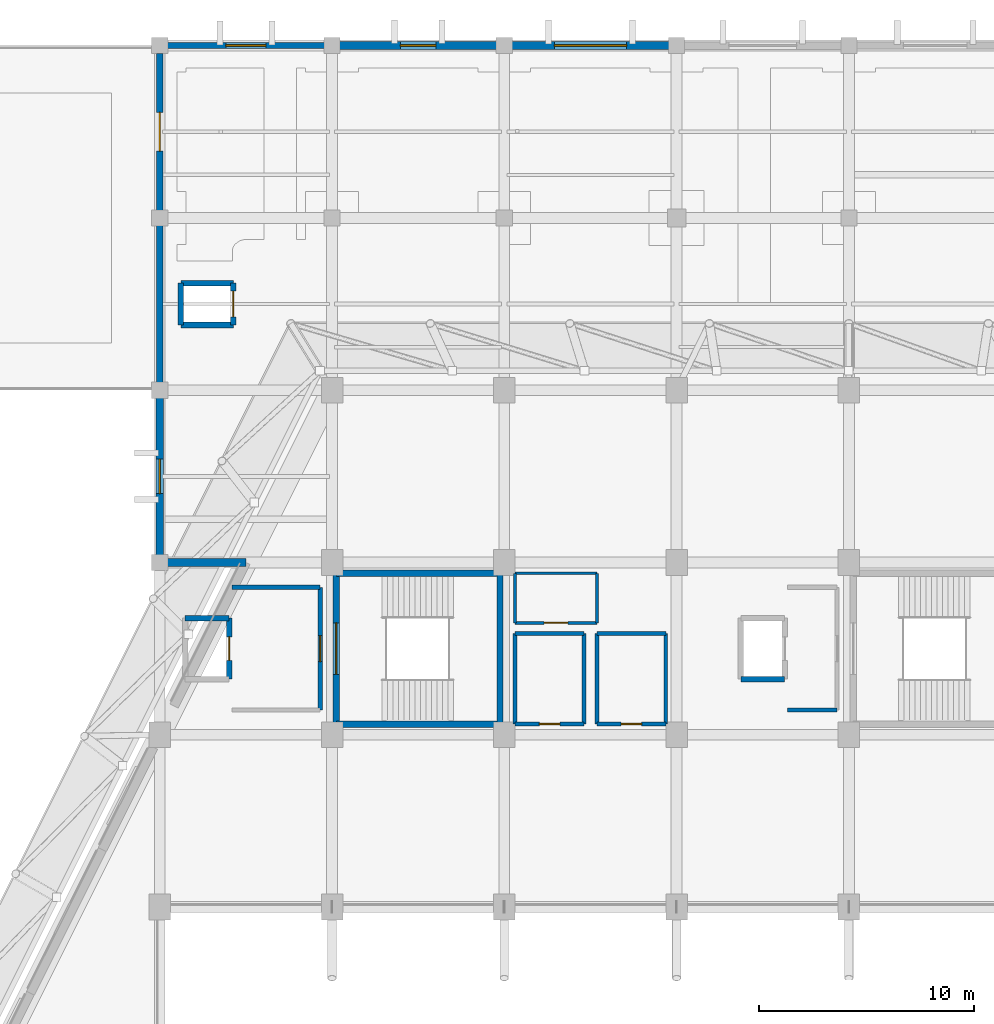
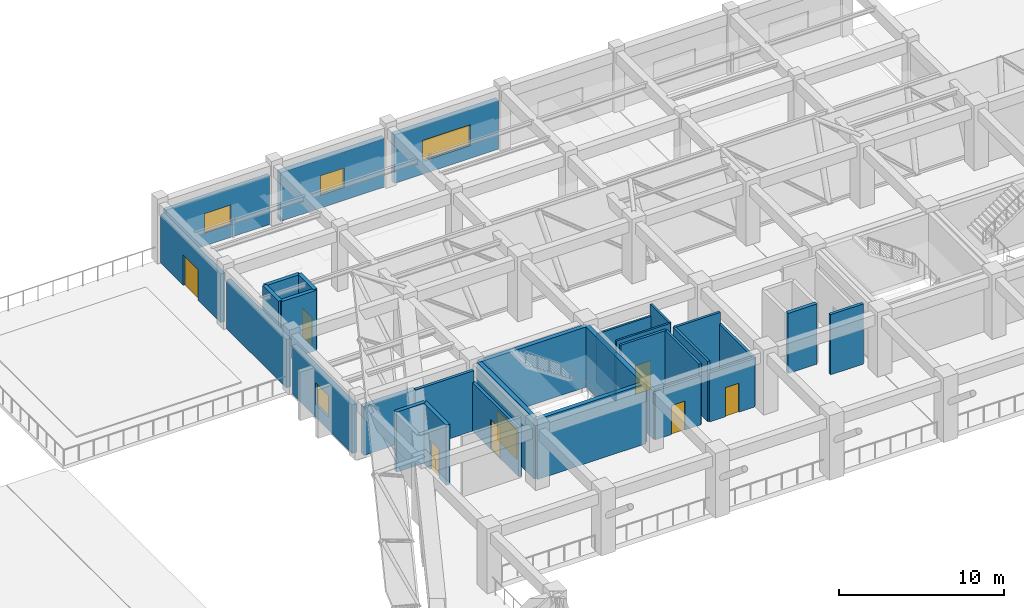
# One storey, part 33 of 46: 33 walls, 8 doors, 4 windows, 12 openings.
"""IFC4 building model written with IfcOpenShell, lengths in metres."""

from ifc_helpers import new_model, si_unit, direction, frame, frame_2d, origin, place, context, subcontext, project, spatial, rectangle, extrude, material, layer, layer_set, type_object, element, fill, save


model = new_model("IFC4")

# Units and contexts
model_context = context("Model", 3, precision=1e-05, world=origin(), true_north=direction((0.0, 1.0)))
body_context = subcontext(model_context, "Body", "Model", "MODEL_VIEW")
ifc_project = project(units=[si_unit("LENGTHUNIT", "METRE"), si_unit("AREAUNIT", "SQUARE_METRE"), si_unit("VOLUMEUNIT", "CUBIC_METRE"), si_unit("PLANEANGLEUNIT", "RADIAN"), si_unit("MASSUNIT", "GRAM", prefix="KILO")], contexts=[model_context])

# Site, building, storey
site_placement = place(None, origin())
site = spatial("IfcSite", under=ifc_project, at=site_placement, CompositionType="ELEMENT")
building_placement = place(site_placement, origin())
building = spatial("IfcBuilding", under=site, at=building_placement, Name="Tazarka Park Arena", CompositionType="ELEMENT")
storey_placement = place(building_placement, frame((0.0, 0.0, 10.199951171875)))
storey = spatial("IfcBuildingStorey", under=building, at=storey_placement, Name="L02", CompositionType="ELEMENT", Elevation=10.199951171875)

# Wall
ifc_material_1 = material(Name="Concrete C40/50", Category="concrete")
ifc_layer_1 = layer(ifc_material_1, 0.300048828125, Name="Concrete C40/50")
ifc_layer_set_1 = layer_set([ifc_layer_1], Name="Concrete C40/50")
wall_type_1 = type_object("IfcWallType", Name="IWAL-CW-S1", PredefinedType="SHEAR", material=ifc_layer_set_1)
wall_1_placement = place(storey_placement, frame((71.800048828125, 96.5, 0.0), z_axis=(0.0, 0.0, 1.0), x_axis=(-1.0, 0.0, 0.0)))
element("IfcWall", 1, at=wall_1_placement, inside=storey, type_object=wall_type_1, Name="SCW-L02-ST14-S", PredefinedType="SHEAR", context=body_context, shape_type="SweptSolid", body=[
    extrude(rectangle(XDim=7.60009765625, YDim=0.300048828125, at=frame_2d((3.800048828125, 0.0))), origin(), (0.0, 0.0, 1.0), 4.4599609375),
])

# Wall, opening, door
wall_2_placement = place(storey_placement, frame((64.199951171875, 96.5, 0.0), z_axis=(0.0, 0.0, 1.0), x_axis=(0.0, 1.0, 0.0)))
wall_2 = element("IfcWall", 2, at=wall_2_placement, inside=storey, type_object=wall_type_1, Name="SCW-L02-ST14-W", PredefinedType="SHEAR", context=body_context, shape_type="SweptSolid", body=[
    extrude(rectangle(XDim=7.0, YDim=0.300048828125, at=frame_2d((3.5, 0.0))), origin(), (0.0, 0.0, 1.0), 4.4599609375),
])
opening_1_placement = place(wall_2_placement, frame((2.300048828125, 0.0, 0.0)))
opening_1 = element("IfcOpeningElement", 3, at=opening_1_placement, cuts=wall_2, Name="Opening ID-05", PredefinedType="OPENING", context=body_context, shape_type="SweptSolid", body=[
    extrude(rectangle(XDim=2.39990234375, YDim=2.199951171875, at=frame_2d((1.199951171875, 1.10009765625))), frame((0.0, 0.16015625, 0.0), z_axis=(0.0, -1.0, 0.0), x_axis=(1.0, 0.0, 0.0)), (0.0, 0.0, 1.0), 0.320068359375),
])
ifc_material_2 = material(Name="Fire-rated powder-coated steel and acoustic timber", Category="steel")
door_type_1 = type_object("IfcDoorType", Name="IDR-ID-05", OperationType="NOTDEFINED", PredefinedType="DOOR", material=ifc_material_2)
door_1_placement = place(opening_1_placement, frame((2.39990234375, 0.0, 0.0), z_axis=(0.0, 0.0, 1.0), x_axis=(-1.0, 0.0, 0.0)))
door_1 = element("IfcDoor", 4, at=door_1_placement, inside=storey, type_object=door_type_1, Name="Exit Stair Door ST14-L02", OperationType="DOUBLE_DOOR_SINGLE_SWING", OverallHeight=2.199951171875, OverallWidth=2.39990234375, PredefinedType="DOOR", context=body_context, shape_type="SweptSolid", body=[
    extrude(rectangle(XDim=2.39990234375, YDim=2.199951171875, at=frame_2d((1.199951171875, 1.10009765625))), frame((0.0, 0.02490234375, 0.0), z_axis=(0.0, -1.0, 0.0), x_axis=(1.0, 0.0, 0.0)), (0.0, 0.0, 1.0), 0.050048828125),
])
fill(opening_1, door_1)

# Walls
wall_3_placement = place(storey_placement, frame((64.199951171875, 103.5, 0.0), z_axis=(0.0, 0.0, 1.0), x_axis=(1.0, 0.0, 0.0)))
element("IfcWall", 5, at=wall_3_placement, inside=storey, type_object=wall_type_1, Name="SCW-L02-ST14-N", PredefinedType="SHEAR", context=body_context, shape_type="SweptSolid", body=[
    extrude(rectangle(XDim=7.60009765625, YDim=0.300048828125, at=frame_2d((3.800048828125, 0.0))), origin(), (0.0, 0.0, 1.0), 4.4599609375),
])
wall_4_placement = place(storey_placement, frame((71.800048828125, 103.5, 0.0), z_axis=(0.0, 0.0, 1.0), x_axis=(0.0, -1.0, 0.0)))
element("IfcWall", 6, at=wall_4_placement, inside=storey, type_object=wall_type_1, Name="SCW-L02-ST14-E", PredefinedType="SHEAR", context=body_context, shape_type="SweptSolid", body=[
    extrude(rectangle(XDim=7.0, YDim=0.300048828125, at=frame_2d((3.5, 0.0))), origin(), (0.0, 0.0, 1.0), 4.4599609375),
])
ifc_material_3 = material(Name="Concrete C40/50", Category="concrete")
ifc_layer_2 = layer(ifc_material_3, 0.260009765625, Name="Concrete C40/50")
ifc_layer_set_2 = layer_set([ifc_layer_2], Name="Concrete C40/50")
wall_type_2 = type_object("IfcWallType", Name="IWAL-CW-S3", PredefinedType="SHEAR", material=ifc_layer_set_2)
wall_5_placement = place(storey_placement, frame((57.179931640625, 101.419921875, 0.0), z_axis=(0.0, 0.0, 1.0), x_axis=(1.0, 0.0, 0.0)))
element("IfcWall", 7, at=wall_5_placement, inside=storey, type_object=wall_type_2, Name="LSW-L02-LF-02-N", PredefinedType="SHEAR", context=body_context, shape_type="SweptSolid", body=[
    extrude(rectangle(XDim=2.0400390625, YDim=0.260009765625, at=frame_2d((1.02001953125, 0.0))), origin(), (0.0, 0.0, 1.0), 4.4599609375),
])

# Wall, opening, door
wall_6_placement = place(storey_placement, frame((59.219970703125, 101.419921875, 0.0), z_axis=(0.0, 0.0, 1.0), x_axis=(0.0, -1.0, 0.0)))
wall_6 = element("IfcWall", 8, at=wall_6_placement, inside=storey, type_object=wall_type_2, Name="LSW-L02-LF-02-E", PredefinedType="SHEAR", context=body_context, shape_type="SweptSolid", body=[
    extrude(rectangle(XDim=2.83984375, YDim=0.260009765625, at=frame_2d((1.419921875, 0.0))), origin(), (0.0, 0.0, 1.0), 4.4599609375),
])
opening_2_placement = place(wall_6_placement, frame((0.8701171875, 0.0, 0.0)))
opening_2 = element("IfcOpeningElement", 9, at=opening_2_placement, cuts=wall_6, Name="Opening LD-01", PredefinedType="OPENING", context=body_context, shape_type="SweptSolid", body=[
    extrude(rectangle(XDim=1.10009765625, YDim=2.14990234375, at=frame_2d((0.550048828125, 1.074951171875))), frame((0.0, 0.14013671875, 0.0), z_axis=(0.0, -1.0, 0.0), x_axis=(1.0, 0.0, 0.0)), (0.0, 0.0, 1.0), 0.280029296875),
])
ifc_material_4 = material(Name="Fire-rated powder-coated steel and acoustic timber", Category="steel")
door_type_2 = type_object("IfcDoorType", Name="IDR-LD-01", OperationType="NOTDEFINED", PredefinedType="DOOR", material=ifc_material_4)
door_2_placement = place(opening_2_placement, origin())
door_2 = element("IfcDoor", 10, at=door_2_placement, inside=storey, type_object=door_type_2, Name="Lift Landing Door LF-02-L02", OperationType="SLIDING_TO_LEFT", OverallHeight=2.14990234375, OverallWidth=1.10009765625, PredefinedType="DOOR", context=body_context, shape_type="SweptSolid", body=[
    extrude(rectangle(XDim=1.10009765625, YDim=2.14990234375, at=frame_2d((0.550048828125, 1.074951171875))), frame((0.0, 0.02490234375, 0.0), z_axis=(0.0, -1.0, 0.0), x_axis=(1.0, 0.0, 0.0)), (0.0, 0.0, 1.0), 0.050048828125),
])
fill(opening_2, door_2)

# Walls
wall_7_placement = place(storey_placement, frame((85.02001953125, 98.580078125, 0.0), z_axis=(0.0, 0.0, 1.0), x_axis=(-1.0, 0.0, 0.0)))
element("IfcWall", 11, at=wall_7_placement, inside=storey, type_object=wall_type_2, Name="LSW-L02-LF-03-S", PredefinedType="SHEAR", context=body_context, shape_type="SweptSolid", body=[
    extrude(rectangle(XDim=2.0400390625, YDim=0.260009765625, at=frame_2d((1.02001953125, 0.0))), origin(), (0.0, 0.0, 1.0), 4.4599609375),
])
wall_8_placement = place(storey_placement, frame((56.97998046875, 115.030029296875, 0.0), z_axis=(0.0, 0.0, 1.0), x_axis=(0.0, 1.0, 0.0)))
element("IfcWall", 12, at=wall_8_placement, inside=storey, type_object=wall_type_2, Name="LSW-L02-LF-07-W", PredefinedType="SHEAR", context=body_context, shape_type="SweptSolid", body=[
    extrude(rectangle(XDim=1.93994140625, YDim=0.260009765625, at=frame_2d((0.969970703125, 0.0))), origin(), (0.0, 0.0, 1.0), 4.4599609375),
])
for number, where, z_axis, x_axis, name in (
    (13, (56.97998046875, 116.969970703125, 0.0), (0.0, 0.0, 1.0), (1.0, 0.0, 0.0), "LSW-L02-LF-07-N"),
    (14, (59.419921875, 115.030029296875, 0.0), (0.0, 0.0, 1.0), (-1.0, 0.0, 0.0), "LSW-L02-LF-07-S"),
):
    element("IfcWall", number, at=place(storey_placement, frame(where, z_axis=z_axis, x_axis=x_axis)), inside=storey, type_object=wall_type_2, Name=name, PredefinedType="SHEAR", context=body_context, shape_type="SweptSolid", body=[
        extrude(rectangle(XDim=2.43994140625, YDim=0.260009765625, at=frame_2d((1.219970703125, 0.0))), origin(), (0.0, 0.0, 1.0), 4.4599609375),
    ])

# Wall, opening, door
wall_9_placement = place(storey_placement, frame((59.419921875, 116.969970703125, 0.0), z_axis=(0.0, 0.0, 1.0), x_axis=(0.0, -1.0, 0.0)))
wall_9 = element("IfcWall", 15, at=wall_9_placement, inside=storey, type_object=wall_type_2, Name="LSW-L02-LF-07-E", PredefinedType="SHEAR", context=body_context, shape_type="SweptSolid", body=[
    extrude(rectangle(XDim=1.93994140625, YDim=0.260009765625, at=frame_2d((0.969970703125, 0.0))), origin(), (0.0, 0.0, 1.0), 4.4599609375),
])
opening_3_placement = place(wall_9_placement, frame((0.3701171875, 0.0, 0.0)))
opening_3 = element("IfcOpeningElement", 16, at=opening_3_placement, cuts=wall_9, Name="Opening LD-02", PredefinedType="OPENING", context=body_context, shape_type="SweptSolid", body=[
    extrude(rectangle(XDim=1.199951171875, YDim=2.14990234375, at=frame_2d((0.60009765625, 1.074951171875))), frame((0.0, 0.14013671875, 0.0), z_axis=(0.0, -1.0, 0.0), x_axis=(1.0, 0.0, 0.0)), (0.0, 0.0, 1.0), 0.280029296875),
])
ifc_material_5 = material(Name="Fire-rated powder-coated steel and acoustic timber", Category="steel")
door_type_3 = type_object("IfcDoorType", Name="IDR-LD-02", OperationType="NOTDEFINED", PredefinedType="DOOR", material=ifc_material_5)
door_3_placement = place(opening_3_placement, origin())
door_3 = element("IfcDoor", 17, at=door_3_placement, inside=storey, type_object=door_type_3, Name="Lift Landing Door LF-07-L02", OperationType="SLIDING_TO_LEFT", OverallHeight=2.14990234375, OverallWidth=1.199951171875, PredefinedType="DOOR", context=body_context, shape_type="SweptSolid", body=[
    extrude(rectangle(XDim=1.199951171875, YDim=2.14990234375, at=frame_2d((0.60009765625, 1.074951171875))), frame((0.0, 0.02490234375, 0.0), z_axis=(0.0, -1.0, 0.0), x_axis=(1.0, 0.0, 0.0)), (0.0, 0.0, 1.0), 0.050048828125),
])
fill(opening_3, door_3)

# Wall
ifc_material_6 = material(Name="Reinforced masonry compartment wall", Category="masonry")
ifc_layer_3 = layer(ifc_material_6, 0.199951171875, Name="Reinforced masonry compartment wall")
ifc_layer_set_3 = layer_set([ifc_layer_3], Name="Reinforced masonry compartment wall")
wall_type_3 = type_object("IfcWallType", Name="IWAL-PT-04", PredefinedType="PARTITIONING", material=ifc_layer_set_3)
wall_10_placement = place(storey_placement, frame((59.35009765625, 102.85009765625, 0.0), z_axis=(0.0, 0.0, 1.0), x_axis=(1.0, 0.0, 0.0)))
element("IfcWall", 18, at=wall_10_placement, inside=storey, type_object=wall_type_3, Name="FFW-L02-LF-02-N", PredefinedType="PARTITIONING", context=body_context, shape_type="SweptSolid", body=[
    extrude(rectangle(XDim=4.099853515625, YDim=0.199951171875, at=frame_2d((2.0498046875, 0.0))), origin(), (0.0, 0.0, 1.0), 4.4599609375),
])

# Wall, opening, door
wall_11_placement = place(storey_placement, frame((63.449951171875, 102.85009765625, 0.0), z_axis=(0.0, 0.0, 1.0), x_axis=(0.0, -1.0, 0.0)))
wall_11 = element("IfcWall", 19, at=wall_11_placement, inside=storey, type_object=wall_type_3, Name="FFW-L02-LF-02-E", PredefinedType="PARTITIONING", context=body_context, shape_type="SweptSolid", body=[
    extrude(rectangle(XDim=5.7001953125, YDim=0.199951171875, at=frame_2d((2.85009765625, 0.0))), origin(), (0.0, 0.0, 1.0), 3.60009765625),
])
opening_4_placement = place(wall_11_placement, frame((2.25, 0.0, 0.0)))
opening_4 = element("IfcOpeningElement", 20, at=opening_4_placement, cuts=wall_11, Name="Opening ID-03", PredefinedType="OPENING", context=body_context, shape_type="SweptSolid", body=[
    extrude(rectangle(XDim=1.199951171875, YDim=2.199951171875, at=frame_2d((0.60009765625, 1.10009765625))), frame((0.0, 0.10986328125, 0.0), z_axis=(0.0, -1.0, 0.0), x_axis=(1.0, 0.0, 0.0)), (0.0, 0.0, 1.0), 0.219970703125),
])
ifc_material_7 = material(Name="Fire-rated powder-coated steel and acoustic timber", Category="steel")
door_type_4 = type_object("IfcDoorType", Name="IDR-ID-03", OperationType="NOTDEFINED", PredefinedType="DOOR", material=ifc_material_7)
door_4_placement = place(opening_4_placement, origin())
door_4 = element("IfcDoor", 21, at=door_4_placement, inside=storey, type_object=door_type_4, Name="Firefighting Lobby Door LF-02-L02", OperationType="SINGLE_SWING_LEFT", OverallHeight=2.199951171875, OverallWidth=1.199951171875, PredefinedType="DOOR", context=body_context, shape_type="SweptSolid", body=[
    extrude(rectangle(XDim=1.199951171875, YDim=2.199951171875, at=frame_2d((0.60009765625, 1.10009765625))), frame((0.0, 0.02490234375, 0.0), z_axis=(0.0, -1.0, 0.0), x_axis=(1.0, 0.0, 0.0)), (0.0, 0.0, 1.0), 0.050048828125),
])
fill(opening_4, door_4)

# Wall
wall_12_placement = place(storey_placement, frame((87.449951171875, 97.14990234375, 0.0), z_axis=(0.0, 0.0, 1.0), x_axis=(-1.0, 0.0, 0.0)))
element("IfcWall", 22, at=wall_12_placement, inside=storey, type_object=wall_type_3, Name="FFW-L02-LF-03-S", PredefinedType="PARTITIONING", context=body_context, shape_type="SweptSolid", body=[
    extrude(rectangle(XDim=2.300048828125, YDim=0.199951171875, at=frame_2d((1.14990234375, 0.0))), origin(), (0.0, 0.0, 1.0), 4.4599609375),
])

# Wall, opening, door
ifc_material_8 = material(Name="Acoustic gypsum stud partition")
ifc_layer_4 = layer(ifc_material_8, 0.135009765625, Name="Acoustic gypsum stud partition")
ifc_layer_set_4 = layer_set([ifc_layer_4], Name="Acoustic gypsum stud partition")
wall_type_4 = type_object("IfcWallType", Name="IWAL-PT-10", PredefinedType="PARTITIONING", material=ifc_layer_set_4)
wall_13_placement = place(storey_placement, frame((72.5, 101.199951171875, 0.0), z_axis=(0.0, 0.0, 1.0), x_axis=(1.0, 0.0, 0.0)))
wall_13 = element("IfcWall", 23, at=wall_13_placement, inside=storey, type_object=wall_type_4, Name="WCE-L02-099", PredefinedType="PARTITIONING", context=body_context, shape_type="SweptSolid", body=[
    extrude(rectangle(XDim=3.800048828125, YDim=0.135009765625, at=frame_2d((1.89990234375, 0.0))), origin(), (0.0, 0.0, 1.0), 4.4599609375),
])
opening_5_placement = place(wall_13_placement, frame((1.35009765625, 0.0, 0.0)))
opening_5 = element("IfcOpeningElement", 24, at=opening_5_placement, cuts=wall_13, Name="Opening ID-02", PredefinedType="OPENING", context=body_context, shape_type="SweptSolid", body=[
    extrude(rectangle(XDim=1.10009765625, YDim=2.14990234375, at=frame_2d((0.550048828125, 1.074951171875))), frame((0.0, 0.07763671875, 0.0), z_axis=(0.0, -1.0, 0.0), x_axis=(1.0, 0.0, 0.0)), (0.0, 0.0, 1.0), 0.155029296875),
])
ifc_material_9 = material(Name="Fire-rated powder-coated steel and acoustic timber", Category="steel")
door_type_5 = type_object("IfcDoorType", Name="IDR-ID-02", OperationType="NOTDEFINED", PredefinedType="DOOR", material=ifc_material_9)
door_5_placement = place(opening_5_placement, origin())
door_5 = element("IfcDoor", 25, at=door_5_placement, inside=storey, type_object=door_type_5, Name="Room Door Accessible WC North 2", OperationType="SINGLE_SWING_RIGHT", OverallHeight=2.14990234375, OverallWidth=1.10009765625, PredefinedType="DOOR", context=body_context, shape_type="SweptSolid", body=[
    extrude(rectangle(XDim=1.10009765625, YDim=2.14990234375, at=frame_2d((0.550048828125, 1.074951171875))), frame((0.0, 0.02490234375, 0.0), z_axis=(0.0, -1.0, 0.0), x_axis=(1.0, 0.0, 0.0)), (0.0, 0.0, 1.0), 0.050048828125),
])
fill(opening_5, door_5)

# Walls
wall_14_placement = place(storey_placement, frame((76.300048828125, 101.199951171875, 0.0), z_axis=(0.0, 0.0, 1.0), x_axis=(0.0, 1.0, 0.0)))
element("IfcWall", 26, at=wall_14_placement, inside=storey, type_object=wall_type_4, Name="WCE-L02-100", PredefinedType="PARTITIONING", context=body_context, shape_type="SweptSolid", body=[
    extrude(rectangle(XDim=2.300048828125, YDim=0.135009765625, at=frame_2d((1.14990234375, 0.0))), origin(), (0.0, 0.0, 1.0), 4.4599609375),
])
wall_15_placement = place(storey_placement, frame((76.300048828125, 103.5, 0.0), z_axis=(0.0, 0.0, 1.0), x_axis=(-1.0, 0.0, 0.0)))
element("IfcWall", 27, at=wall_15_placement, inside=storey, type_object=wall_type_4, Name="WCE-L02-101", PredefinedType="PARTITIONING", context=body_context, shape_type="SweptSolid", body=[
    extrude(rectangle(XDim=3.800048828125, YDim=0.135009765625, at=frame_2d((1.89990234375, 0.0))), origin(), (0.0, 0.0, 1.0), 3.60009765625),
])
wall_16_placement = place(storey_placement, frame((72.5, 103.5, 0.0), z_axis=(0.0, 0.0, 1.0), x_axis=(0.0, -1.0, 0.0)))
element("IfcWall", 28, at=wall_16_placement, inside=storey, type_object=wall_type_4, Name="WCE-L02-102", PredefinedType="PARTITIONING", context=body_context, shape_type="SweptSolid", body=[
    extrude(rectangle(XDim=2.300048828125, YDim=0.135009765625, at=frame_2d((1.14990234375, 0.0))), origin(), (0.0, 0.0, 1.0), 3.60009765625),
])

# Wall, opening, door
ifc_material_10 = material(Name="Wet-zone tiled blockwork wall", Category="masonry")
ifc_layer_5 = layer(ifc_material_10, 0.175048828125, Name="Wet-zone tiled blockwork wall")
ifc_layer_set_5 = layer_set([ifc_layer_5], Name="Wet-zone tiled blockwork wall")
wall_type_5 = type_object("IfcWallType", Name="IWAL-PT-18", PredefinedType="PARTITIONING", material=ifc_layer_set_5)
wall_17_placement = place(storey_placement, frame((72.5, 96.5, 0.0), z_axis=(0.0, 0.0, 1.0), x_axis=(1.0, 0.0, 0.0)))
wall_17 = element("IfcWall", 29, at=wall_17_placement, inside=storey, type_object=wall_type_5, Name="WCE-L02-091", PredefinedType="PARTITIONING", context=body_context, shape_type="SweptSolid", body=[
    extrude(rectangle(XDim=3.199951171875, YDim=0.175048828125, at=frame_2d((1.60009765625, 0.0))), origin(), (0.0, 0.0, 1.0), 3.60009765625),
])
opening_6_placement = place(wall_17_placement, frame((1.125, 0.0, 0.0)))
opening_6 = element("IfcOpeningElement", 30, at=opening_6_placement, cuts=wall_17, Name="Opening ID-09", PredefinedType="OPENING", context=body_context, shape_type="SweptSolid", body=[
    extrude(rectangle(XDim=0.949951171875, YDim=2.14990234375, at=frame_2d((0.47509765625, 1.074951171875))), frame((0.0, 0.09765625, 0.0), z_axis=(0.0, -1.0, 0.0), x_axis=(1.0, 0.0, 0.0)), (0.0, 0.0, 1.0), 0.195068359375),
])
ifc_material_11 = material(Name="Fire-rated powder-coated steel and acoustic timber", Category="steel")
door_type_6 = type_object("IfcDoorType", Name="IDR-ID-09", OperationType="NOTDEFINED", PredefinedType="DOOR", material=ifc_material_11)
door_6_placement = place(opening_6_placement, origin())
door_6 = element("IfcDoor", 31, at=door_6_placement, inside=storey, type_object=door_type_6, Name="Room Door Public Male WC North 2", OperationType="SINGLE_SWING_RIGHT", OverallHeight=2.14990234375, OverallWidth=0.949951171875, PredefinedType="DOOR", context=body_context, shape_type="SweptSolid", body=[
    extrude(rectangle(XDim=0.949951171875, YDim=2.14990234375, at=frame_2d((0.47509765625, 1.074951171875))), frame((0.0, 0.02490234375, 0.0), z_axis=(0.0, -1.0, 0.0), x_axis=(1.0, 0.0, 0.0)), (0.0, 0.0, 1.0), 0.050048828125),
])
fill(opening_6, door_6)

# Walls
wall_18_placement = place(storey_placement, frame((75.699951171875, 96.5, 0.0), z_axis=(0.0, 0.0, 1.0), x_axis=(0.0, 1.0, 0.0)))
element("IfcWall", 32, at=wall_18_placement, inside=storey, type_object=wall_type_5, Name="WCE-L02-092", PredefinedType="PARTITIONING", context=body_context, shape_type="SweptSolid", body=[
    extrude(rectangle(XDim=4.199951171875, YDim=0.175048828125, at=frame_2d((2.10009765625, 0.0))), origin(), (0.0, 0.0, 1.0), 4.4599609375),
])
wall_19_placement = place(storey_placement, frame((75.699951171875, 100.699951171875, 0.0), z_axis=(0.0, 0.0, 1.0), x_axis=(-1.0, 0.0, 0.0)))
element("IfcWall", 33, at=wall_19_placement, inside=storey, type_object=wall_type_5, Name="WCE-L02-093", PredefinedType="PARTITIONING", context=body_context, shape_type="SweptSolid", body=[
    extrude(rectangle(XDim=3.199951171875, YDim=0.175048828125, at=frame_2d((1.60009765625, 0.0))), origin(), (0.0, 0.0, 1.0), 4.4599609375),
])
wall_20_placement = place(storey_placement, frame((72.5, 100.699951171875, 0.0), z_axis=(0.0, 0.0, 1.0), x_axis=(0.0, -1.0, 0.0)))
element("IfcWall", 34, at=wall_20_placement, inside=storey, type_object=wall_type_5, Name="WCE-L02-094", PredefinedType="PARTITIONING", context=body_context, shape_type="SweptSolid", body=[
    extrude(rectangle(XDim=4.199951171875, YDim=0.175048828125, at=frame_2d((2.10009765625, 0.0))), origin(), (0.0, 0.0, 1.0), 3.60009765625),
])

# Wall, opening, door
wall_21_placement = place(storey_placement, frame((76.300048828125, 96.5, 0.0), z_axis=(0.0, 0.0, 1.0), x_axis=(1.0, 0.0, 0.0)))
wall_21 = element("IfcWall", 35, at=wall_21_placement, inside=storey, type_object=wall_type_5, Name="WCE-L02-095", PredefinedType="PARTITIONING", context=body_context, shape_type="SweptSolid", body=[
    extrude(rectangle(XDim=3.199951171875, YDim=0.175048828125, at=frame_2d((1.60009765625, 0.0))), origin(), (0.0, 0.0, 1.0), 3.60009765625),
])
opening_7_placement = place(wall_21_placement, frame((1.125, 0.0, 0.0)))
opening_7 = element("IfcOpeningElement", 36, at=opening_7_placement, cuts=wall_21, Name="Opening ID-09", PredefinedType="OPENING", context=body_context, shape_type="SweptSolid", body=[
    extrude(rectangle(XDim=0.949951171875, YDim=2.14990234375, at=frame_2d((0.47509765625, 1.074951171875))), frame((0.0, 0.09765625, 0.0), z_axis=(0.0, -1.0, 0.0), x_axis=(1.0, 0.0, 0.0)), (0.0, 0.0, 1.0), 0.195068359375),
])
door_7_placement = place(opening_7_placement, origin())
door_7 = element("IfcDoor", 37, at=door_7_placement, inside=storey, type_object=door_type_6, Name="Room Door Public Female WC North 2", OperationType="SINGLE_SWING_LEFT", OverallHeight=2.14990234375, OverallWidth=0.949951171875, PredefinedType="DOOR", context=body_context, shape_type="SweptSolid", body=[
    extrude(rectangle(XDim=0.949951171875, YDim=2.14990234375, at=frame_2d((0.47509765625, 1.074951171875))), frame((0.0, 0.02490234375, 0.0), z_axis=(0.0, -1.0, 0.0), x_axis=(1.0, 0.0, 0.0)), (0.0, 0.0, 1.0), 0.050048828125),
])
fill(opening_7, door_7)

# Walls
wall_22_placement = place(storey_placement, frame((79.5, 96.5, 0.0), z_axis=(0.0, 0.0, 1.0), x_axis=(0.0, 1.0, 0.0)))
element("IfcWall", 38, at=wall_22_placement, inside=storey, type_object=wall_type_5, Name="WCE-L02-096", PredefinedType="PARTITIONING", context=body_context, shape_type="SweptSolid", body=[
    extrude(rectangle(XDim=4.199951171875, YDim=0.175048828125, at=frame_2d((2.10009765625, 0.0))), origin(), (0.0, 0.0, 1.0), 3.60009765625),
])
wall_23_placement = place(storey_placement, frame((79.5, 100.699951171875, 0.0), z_axis=(0.0, 0.0, 1.0), x_axis=(-1.0, 0.0, 0.0)))
element("IfcWall", 39, at=wall_23_placement, inside=storey, type_object=wall_type_5, Name="WCE-L02-097", PredefinedType="PARTITIONING", context=body_context, shape_type="SweptSolid", body=[
    extrude(rectangle(XDim=3.199951171875, YDim=0.175048828125, at=frame_2d((1.60009765625, 0.0))), origin(), (0.0, 0.0, 1.0), 4.4599609375),
])
wall_24_placement = place(storey_placement, frame((76.300048828125, 100.699951171875, 0.0), z_axis=(0.0, 0.0, 1.0), x_axis=(0.0, -1.0, 0.0)))
element("IfcWall", 40, at=wall_24_placement, inside=storey, type_object=wall_type_5, Name="WCE-L02-098", PredefinedType="PARTITIONING", context=body_context, shape_type="SweptSolid", body=[
    extrude(rectangle(XDim=4.199951171875, YDim=0.175048828125, at=frame_2d((2.10009765625, 0.0))), origin(), (0.0, 0.0, 1.0), 4.4599609375),
])

# Wall, opening, window
ifc_material_12 = material(Name="Concrete C40/50", Category="concrete")
ifc_layer_6 = layer(ifc_material_12, 0.360107421875, Name="Concrete C40/50")
ifc_layer_set_6 = layer_set([ifc_layer_6], Name="Concrete C40/50")
wall_type_6 = type_object("IfcWallType", Name="WAL-EW-04", PredefinedType="SOLIDWALL", material=ifc_layer_set_6)
wall_25_placement = place(storey_placement, frame((72.35498046875, 128.0, 0.0), z_axis=(0.0, 0.0, 1.0), x_axis=(1.0, 0.0, 0.0)))
wall_25 = element("IfcWall", 41, at=wall_25_placement, inside=storey, type_object=wall_type_6, Name="EW-L02-0227", PredefinedType="SOLIDWALL", context=body_context, shape_type="SweptSolid", body=[
    extrude(rectangle(XDim=7.2900390625, YDim=0.360107421875, at=frame_2d((3.64501953125, 0.0))), origin(), (0.0, 0.0, 1.0), 3.60009765625),
])
opening_8_placement = place(wall_25_placement, frame((1.969970703125, 0.0, 0.949951171875)))
opening_8 = element("IfcOpeningElement", 42, at=opening_8_placement, cuts=wall_25, Name="Opening WN-34", PredefinedType="OPENING", context=body_context, shape_type="SweptSolid", body=[
    extrude(rectangle(XDim=3.35009765625, YDim=1.550048828125, at=frame_2d((1.675048828125, 0.77490234375))), frame((0.0, 0.18994140625, 0.0), z_axis=(0.0, -1.0, 0.0), x_axis=(1.0, 0.0, 0.0)), (0.0, 0.0, 1.0), 0.380126953125),
])
ifc_material_13 = material(Name="Thermally broken aluminium and solar-control low-e glazing", Category="aluminium")
window_type_1 = type_object("IfcWindowType", Name="WIN-WN-34", PartitioningType="DOUBLE_PANEL_VERTICAL", PredefinedType="WINDOW", material=ifc_material_13)
window_1_placement = place(opening_8_placement, origin())
window_1 = element("IfcWindow", 43, at=window_1_placement, inside=storey, type_object=window_type_1, Name="WIN-L02-0034", OverallHeight=1.550048828125, OverallWidth=3.35009765625, PartitioningType="SINGLE_PANEL", PredefinedType="WINDOW", context=body_context, shape_type="SweptSolid", body=[
    extrude(rectangle(XDim=3.35009765625, YDim=1.550048828125, at=frame_2d((1.675048828125, 0.77490234375))), frame((0.0, 0.030029296875, 0.0), z_axis=(0.0, -1.0, 0.0), x_axis=(1.0, 0.0, 0.0)), (0.0, 0.0, 1.0), 0.06005859375),
])
fill(opening_8, window_1)

ifc_material_14 = material(Name="Concrete C50/60", Category="concrete")
ifc_layer_7 = layer(ifc_material_14, 0.3798828125, Name="Concrete C50/60")
ifc_layer_set_7 = layer_set([ifc_layer_7], Name="Concrete C50/60")
wall_type_7 = type_object("IfcWallType", Name="WAL-EW-05", PredefinedType="SOLIDWALL", material=ifc_layer_set_7)
wall_26_placement = place(storey_placement, frame((64.35498046875, 128.0, 0.0), z_axis=(0.0, 0.0, 1.0), x_axis=(1.0, 0.0, 0.0)))
wall_26 = element("IfcWall", 44, at=wall_26_placement, inside=storey, type_object=wall_type_7, Name="EW-L02-0228", PredefinedType="SOLIDWALL", context=body_context, shape_type="SweptSolid", body=[
    extrude(rectangle(XDim=7.2900390625, YDim=0.3798828125, at=frame_2d((3.64501953125, 0.0))), origin(), (0.0, 0.0, 1.0), 3.60009765625),
])
opening_9_placement = place(wall_26_placement, frame((2.820068359375, 0.0, 0.949951171875)))
opening_9 = element("IfcOpeningElement", 45, at=opening_9_placement, cuts=wall_26, Name="Opening WN-35", PredefinedType="OPENING", context=body_context, shape_type="SweptSolid", body=[
    extrude(rectangle(XDim=1.64990234375, YDim=1.449951171875, at=frame_2d((0.824951171875, 0.72509765625))), frame((0.0, 0.199951171875, 0.0), z_axis=(0.0, -1.0, 0.0), x_axis=(1.0, 0.0, 0.0)), (0.0, 0.0, 1.0), 0.39990234375),
])
ifc_material_15 = material(Name="Thermally broken aluminium and solar-control low-e glazing", Category="aluminium")
window_type_2 = type_object("IfcWindowType", Name="WIN-WN-35", PartitioningType="DOUBLE_PANEL_VERTICAL", PredefinedType="WINDOW", material=ifc_material_15)
window_2_placement = place(opening_9_placement, origin())
window_2 = element("IfcWindow", 46, at=window_2_placement, inside=storey, type_object=window_type_2, Name="WIN-L02-0035", OverallHeight=1.449951171875, OverallWidth=1.64990234375, PartitioningType="SINGLE_PANEL", PredefinedType="WINDOW", context=body_context, shape_type="SweptSolid", body=[
    extrude(rectangle(XDim=1.64990234375, YDim=1.449951171875, at=frame_2d((0.824951171875, 0.72509765625))), frame((0.0, 0.030029296875, 0.0), z_axis=(0.0, -1.0, 0.0), x_axis=(1.0, 0.0, 0.0)), (0.0, 0.0, 1.0), 0.06005859375),
])
fill(opening_9, window_2)

ifc_material_16 = material(Name="Precast concrete C40/50", Category="concrete")
ifc_layer_8 = layer(ifc_material_16, 0.280029296875, Name="Precast concrete C40/50")
ifc_layer_set_8 = layer_set([ifc_layer_8], Name="Precast concrete C40/50")
wall_type_8 = type_object("IfcWallType", Name="WAL-EW-06", PredefinedType="SOLIDWALL", material=ifc_layer_set_8)
wall_27_placement = place(storey_placement, frame((56.35498046875, 128.0, 0.0), z_axis=(0.0, 0.0, 1.0), x_axis=(1.0, 0.0, 0.0)))
wall_27 = element("IfcWall", 47, at=wall_27_placement, inside=storey, type_object=wall_type_8, Name="EW-L02-0229", PredefinedType="SOLIDWALL", context=body_context, shape_type="SweptSolid", body=[
    extrude(rectangle(XDim=7.2900390625, YDim=0.280029296875, at=frame_2d((3.64501953125, 0.0))), origin(), (0.0, 0.0, 1.0), 3.60009765625),
])
opening_10_placement = place(wall_27_placement, frame((2.719970703125, 0.0, 0.949951171875)))
opening_10 = element("IfcOpeningElement", 48, at=opening_10_placement, cuts=wall_27, Name="Opening WN-36", PredefinedType="OPENING", context=body_context, shape_type="SweptSolid", body=[
    extrude(rectangle(XDim=1.85009765625, YDim=1.449951171875, at=frame_2d((0.925048828125, 0.72509765625))), frame((0.0, 0.14990234375, 0.0), z_axis=(0.0, -1.0, 0.0), x_axis=(1.0, 0.0, 0.0)), (0.0, 0.0, 1.0), 0.300048828125),
])
ifc_material_17 = material(Name="Thermally broken aluminium and solar-control low-e glazing", Category="aluminium")
window_type_3 = type_object("IfcWindowType", Name="WIN-WN-36", PartitioningType="DOUBLE_PANEL_VERTICAL", PredefinedType="WINDOW", material=ifc_material_17)
window_3_placement = place(opening_10_placement, origin())
window_3 = element("IfcWindow", 49, at=window_3_placement, inside=storey, type_object=window_type_3, Name="WIN-L02-0036", OverallHeight=1.449951171875, OverallWidth=1.85009765625, PartitioningType="SINGLE_PANEL", PredefinedType="WINDOW", context=body_context, shape_type="SweptSolid", body=[
    extrude(rectangle(XDim=1.85009765625, YDim=1.449951171875, at=frame_2d((0.925048828125, 0.72509765625))), frame((0.0, 0.030029296875, 0.0), z_axis=(0.0, -1.0, 0.0), x_axis=(1.0, 0.0, 0.0)), (0.0, 0.0, 1.0), 0.06005859375),
])
fill(opening_10, window_3)

# Wall, opening, door
ifc_material_18 = material(Name="Precast concrete C40/50", Category="concrete")
ifc_layer_9 = layer(ifc_material_18, 0.2900390625, Name="Precast concrete C40/50")
ifc_layer_set_9 = layer_set([ifc_layer_9], Name="Precast concrete C40/50")
wall_type_9 = type_object("IfcWallType", Name="WAL-EW-07", PredefinedType="SOLIDWALL", material=ifc_layer_set_9)
wall_28_placement = place(storey_placement, frame((56.0, 120.35498046875, 0.0), z_axis=(0.0, 0.0, 1.0), x_axis=(0.0, 1.0, 0.0)))
wall_28 = element("IfcWall", 50, at=wall_28_placement, inside=storey, type_object=wall_type_9, Name="EW-L02-0230", PredefinedType="SOLIDWALL", context=body_context, shape_type="SweptSolid", body=[
    extrude(rectangle(XDim=7.2900390625, YDim=0.2900390625, at=frame_2d((3.64501953125, 0.0))), origin(), (0.0, 0.0, 1.0), 3.60009765625),
])
opening_11_placement = place(wall_28_placement, frame((2.7451171875, 0.0, 0.0)))
opening_11 = element("IfcOpeningElement", 51, at=opening_11_placement, cuts=wall_28, Name="Opening ED-03", PredefinedType="OPENING", context=body_context, shape_type="SweptSolid", body=[
    extrude(rectangle(XDim=1.800048828125, YDim=2.25, at=frame_2d((0.89990234375, 1.125))), frame((0.0, 0.155029296875, 0.0), z_axis=(0.0, -1.0, 0.0), x_axis=(1.0, 0.0, 0.0)), (0.0, 0.0, 1.0), 0.31005859375),
])
ifc_material_19 = material(Name="Thermally broken anodised aluminium and laminated safety glass", Category="aluminium")
door_type_7 = type_object("IfcDoorType", Name="DR-ED-03", OperationType="NOTDEFINED", PredefinedType="DOOR", material=ifc_material_19)
door_8_placement = place(opening_11_placement, origin())
door_8 = element("IfcDoor", 52, at=door_8_placement, inside=storey, type_object=door_type_7, Name="Roof Garden Terrace Door EW-L02-0230", OperationType="DOUBLE_DOOR_SINGLE_SWING", OverallHeight=2.25, OverallWidth=1.800048828125, PredefinedType="DOOR", context=body_context, shape_type="SweptSolid", body=[
    extrude(rectangle(XDim=1.800048828125, YDim=2.25, at=frame_2d((0.89990234375, 1.125))), frame((0.0, 0.02490234375, 0.0), z_axis=(0.0, -1.0, 0.0), x_axis=(1.0, 0.0, 0.0)), (0.0, 0.0, 1.0), 0.050048828125),
])
fill(opening_11, door_8)

# Wall
ifc_material_20 = material(Name="Precast concrete C40/50", Category="concrete")
ifc_layer_10 = layer(ifc_material_20, 0.31005859375, Name="Precast concrete C40/50")
ifc_layer_set_10 = layer_set([ifc_layer_10], Name="Precast concrete C40/50")
wall_type_10 = type_object("IfcWallType", Name="WAL-EW-08", PredefinedType="SOLIDWALL", material=ifc_layer_set_10)
wall_29_placement = place(storey_placement, frame((56.0, 112.35498046875, 0.0), z_axis=(0.0, 0.0, 1.0), x_axis=(0.0, 1.0, 0.0)))
element("IfcWall", 53, at=wall_29_placement, inside=storey, type_object=wall_type_10, Name="EW-L02-0231", PredefinedType="SOLIDWALL", context=body_context, shape_type="SweptSolid", body=[
    extrude(rectangle(XDim=7.2900390625, YDim=0.31005859375, at=frame_2d((3.64501953125, 0.0))), origin(), (0.0, 0.0, 1.0), 3.60009765625),
])

# Wall, opening, window
ifc_material_21 = material(Name="Concrete C40/50", Category="concrete")
ifc_layer_11 = layer(ifc_material_21, 0.330078125, Name="Concrete C40/50")
ifc_layer_set_11 = layer_set([ifc_layer_11], Name="Concrete C40/50")
wall_type_11 = type_object("IfcWallType", Name="WAL-EW-09", PredefinedType="SOLIDWALL", material=ifc_layer_set_11)
wall_30_placement = place(storey_placement, frame((56.0, 104.35498046875, 0.0), z_axis=(0.0, 0.0, 1.0), x_axis=(0.0, 1.0, 0.0)))
wall_30 = element("IfcWall", 54, at=wall_30_placement, inside=storey, type_object=wall_type_11, Name="EW-L02-0232", PredefinedType="SOLIDWALL", context=body_context, shape_type="SweptSolid", body=[
    extrude(rectangle(XDim=7.2900390625, YDim=0.330078125, at=frame_2d((3.64501953125, 0.0))), origin(), (0.0, 0.0, 1.0), 3.60009765625),
])
opening_12_placement = place(wall_30_placement, frame((2.844970703125, 0.0, 0.949951171875)))
opening_12 = element("IfcOpeningElement", 55, at=opening_12_placement, cuts=wall_30, Name="Opening WN-01", PredefinedType="OPENING", context=body_context, shape_type="SweptSolid", body=[
    extrude(rectangle(XDim=1.60009765625, YDim=1.60009765625, at=frame_2d((0.800048828125, 0.800048828125))), frame((0.0, 0.175048828125, 0.0), z_axis=(0.0, -1.0, 0.0), x_axis=(1.0, 0.0, 0.0)), (0.0, 0.0, 1.0), 0.35009765625),
])
ifc_material_22 = material(Name="Thermally broken aluminium and solar-control low-e glazing", Category="aluminium")
window_type_4 = type_object("IfcWindowType", Name="WIN-WN-01", PartitioningType="DOUBLE_PANEL_VERTICAL", PredefinedType="WINDOW", material=ifc_material_22)
window_4_placement = place(opening_12_placement, origin())
window_4 = element("IfcWindow", 56, at=window_4_placement, inside=storey, type_object=window_type_4, Name="WIN-L02-0037", OverallHeight=1.60009765625, OverallWidth=1.60009765625, PartitioningType="SINGLE_PANEL", PredefinedType="WINDOW", context=body_context, shape_type="SweptSolid", body=[
    extrude(rectangle(XDim=1.60009765625, YDim=1.60009765625, at=frame_2d((0.800048828125, 0.800048828125))), frame((0.0, 0.030029296875, 0.0), z_axis=(0.0, -1.0, 0.0), x_axis=(1.0, 0.0, 0.0)), (0.0, 0.0, 1.0), 0.06005859375),
])
fill(opening_12, window_4)

# Wall
ifc_material_23 = material(Name="Concrete C40/50", Category="concrete")
ifc_layer_12 = layer(ifc_material_23, 0.35009765625, Name="Concrete C40/50")
ifc_layer_set_12 = layer_set([ifc_layer_12], Name="Concrete C40/50")
wall_type_12 = type_object("IfcWallType", Name="WAL-EW-10", PredefinedType="SOLIDWALL", material=ifc_layer_set_12)
wall_31_placement = place(storey_placement, frame((60.0, 104.0, 0.0), z_axis=(0.0, 0.0, 1.0), x_axis=(-1.0, 0.0, 0.0)))
element("IfcWall", 57, at=wall_31_placement, inside=storey, type_object=wall_type_12, Name="EW-L02-0233", PredefinedType="SOLIDWALL", context=body_context, shape_type="SweptSolid", body=[
    extrude(rectangle(XDim=3.64501953125, YDim=0.35009765625, at=frame_2d((1.822509765625, 0.0))), origin(), (0.0, 0.0, 1.0), 3.60009765625),
])

save(model, "model.ifc")
